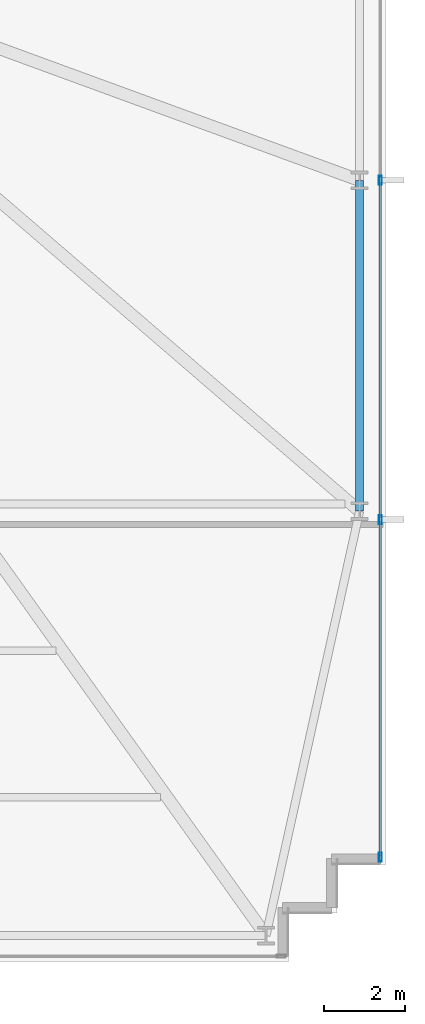
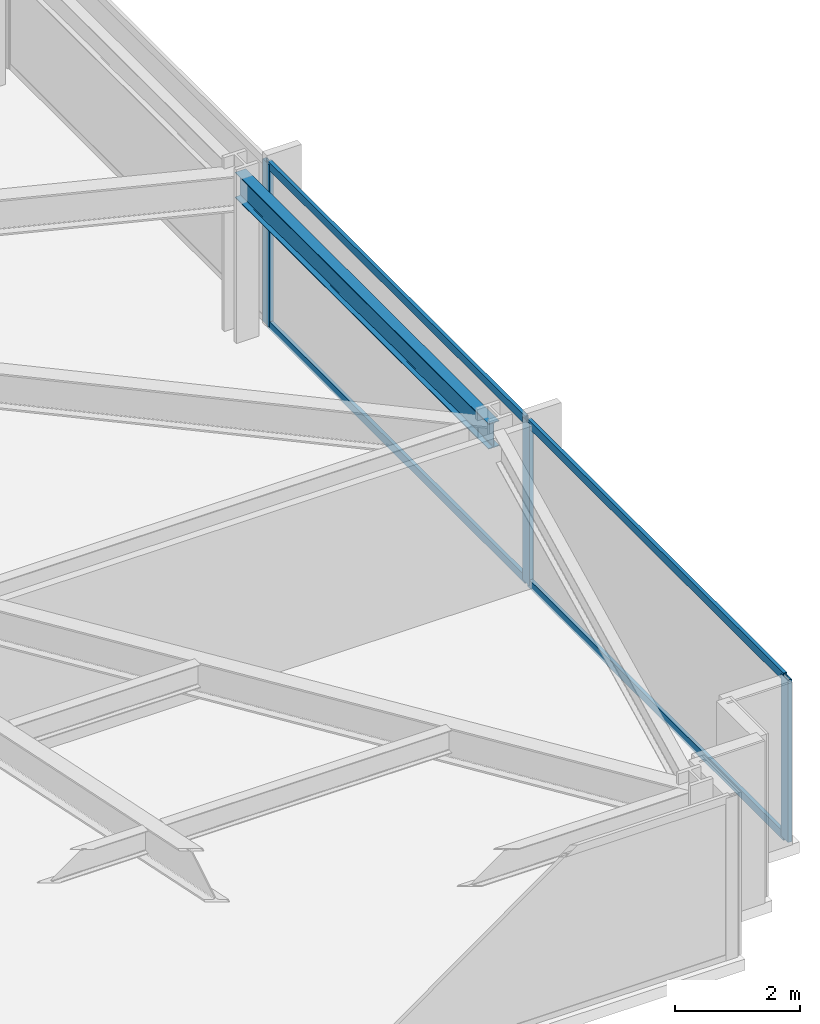
# One storey, part 22 of 33: 7 members, 1 beam, 1 element without a shape of its own.
"""IFC4 building model written with IfcOpenShell, lengths in metres."""

import ifcopenshell
import ifcopenshell.guid

model = None  # the IFC model being written
_history = None  # IfcOwnerHistory: only IFC2X3 demands one
_inside = {}  # id of a spatial element -> (the spatial element, [elements in it])
_under = {}  # id of a project, library or spatial element -> (it, [spatial elements below it])
_declared = {}  # id of a project -> (the project, [libraries it declares])
_typed = {}  # id of a type object -> (the type object, [elements of that type])
_made_of = {}  # id of a material, layer set ... -> (it, [elements and type objects made of it])


def new_model(schema):
    """Start an empty IFC model of exactly this schema.

    Asked for "IFC4X3", IfcOpenShell would pick the latest addendum, in which some entities
    have other attributes; the version numbers below select the first issue.
    IFC2X3 requires an IfcOwnerHistory on every rooted entity: one is made here for all.
    """
    global model, _history
    if schema == "IFC4X3":
        model = ifcopenshell.file(schema_version=(4, 3, 0, 0))
    else:
        model = ifcopenshell.file(schema=schema)
    _inside.clear()
    _under.clear()
    _declared.clear()
    _typed.clear()
    _made_of.clear()
    _history = None
    if model.schema == "IFC2X3":
        org = make("IfcOrganization", Name="unknown")
        user = make(
            "IfcPersonAndOrganization",
            ThePerson=make("IfcPerson", FamilyName="unknown"),
            TheOrganization=org,
        )
        app = make(
            "IfcApplication",
            ApplicationDeveloper=org,
            Version="unknown",
            ApplicationFullName="unknown",
            ApplicationIdentifier="unknown",
        )
        _history = make(
            "IfcOwnerHistory",
            OwningUser=user,
            OwningApplication=app,
            ChangeAction="ADDED",
            CreationDate=0,
        )
    return model


def make(cls, **values):
    """One entity of the class cls with the attributes given. An attribute that is None is left unset."""
    return model.create_entity(
        cls, **{name: value for name, value in values.items() if value is not None}
    )


def rooted(cls, **values):
    """An entity with a GlobalId (a new one), such as an element, a storey or a relation."""
    return make(cls, GlobalId=ifcopenshell.guid.new(), OwnerHistory=_history, **values)


def si_unit(unit_type, name, prefix=None):
    """IfcSIUnit, for example si_unit("LENGTHUNIT", "METRE", prefix="MILLI")."""
    return make("IfcSIUnit", UnitType=unit_type, Prefix=prefix, Name=name)


def assignment(units):
    """IfcUnitAssignment: the units of a project."""
    return None if units is None else make("IfcUnitAssignment", Units=units)


def point(xyz):
    """IfcCartesianPoint."""
    return None if xyz is None else make("IfcCartesianPoint", Coordinates=xyz)


def direction(xyz):
    """IfcDirection."""
    return None if xyz is None else make("IfcDirection", DirectionRatios=xyz)


def frame(location, z_axis=None, x_axis=None):
    """IfcAxis2Placement3D, a coordinate frame: its origin and axes. An axis left out is left unset."""
    return make(
        "IfcAxis2Placement3D",
        Location=point(location),
        Axis=direction(z_axis),
        RefDirection=direction(x_axis),
    )


def frame_2d(location, x_axis=None):
    """IfcAxis2Placement2D, a coordinate frame in the plane: its origin and x axis."""
    return make(
        "IfcAxis2Placement2D", Location=point(location), RefDirection=direction(x_axis)
    )


def origin():
    """The frame at (0, 0, 0) with its axes left unset."""
    return frame((0.0, 0.0, 0.0))


def origin_2d():
    """The frame at (0, 0) in the plane with its x axis left unset."""
    return frame_2d((0.0, 0.0))


def place(relative_to, where):
    """IfcLocalPlacement: puts the frame where relative to a parent placement (None: the world)."""
    return make(
        "IfcLocalPlacement", PlacementRelTo=relative_to, RelativePlacement=where
    )


def context(
    kind, dimensions, precision=None, world=None, true_north=None, identifier=None
):
    """IfcGeometricRepresentationContext, for example the 3D "Model" context."""
    return make(
        "IfcGeometricRepresentationContext",
        ContextIdentifier=identifier,
        ContextType=kind,
        CoordinateSpaceDimension=dimensions,
        Precision=precision,
        WorldCoordinateSystem=world,
        TrueNorth=true_north,
    )


def subcontext(parent, identifier, kind, view, scale=None):
    """IfcGeometricRepresentationSubContext, for example "Body" below "Model"."""
    return make(
        "IfcGeometricRepresentationSubContext",
        ContextIdentifier=identifier,
        ContextType=kind,
        ParentContext=parent,
        TargetScale=scale,
        TargetView=view,
    )


def project(units=None, contexts=None):
    """IfcProject with its units and contexts."""
    return rooted(
        "IfcProject",
        Name="project",
        RepresentationContexts=contexts,
        UnitsInContext=assignment(units),
    )


def spatial(cls, under=None, at=None, **own):
    """A site, building, storey or space (cls), placed at a placement, below another one or the project."""
    s = rooted(cls, ObjectPlacement=at, **own)
    if under is not None:
        _under.setdefault(under.id(), (under, []))[1].append(s)
    return s


def profile(cls, at=None, kind="AREA", **sizes):
    """A parametric profile (cls). Its sizes go by their IFC names, for example OverallWidth=200.0."""
    return make(cls, ProfileType=kind, Position=at, **sizes)


def hollow_rectangle(**sizes):
    """IfcRectangleHollowProfileDef."""
    return profile("IfcRectangleHollowProfileDef", **sizes)


def i_section(**sizes):
    """IfcIShapeProfileDef."""
    return profile("IfcIShapeProfileDef", **sizes)


def extrude(swept, where, along, depth):
    """IfcExtrudedAreaSolid: the profile swept, set in the frame where, extruded along a direction by depth."""
    return make(
        "IfcExtrudedAreaSolid",
        SweptArea=swept,
        Position=where,
        ExtrudedDirection=direction(along),
        Depth=depth,
    )


def shape(context_of_items, identifier, shape_type, items):
    """IfcShapeRepresentation: the items that make up one representation, for example the "Body"."""
    return make(
        "IfcShapeRepresentation",
        ContextOfItems=context_of_items,
        RepresentationIdentifier=identifier,
        RepresentationType=shape_type,
        Items=items,
    )


def material(Name=None, Category=None):
    """IfcMaterial."""
    return make("IfcMaterial", Name=Name, Category=Category)


def material_profile(
    of_material, cross_section, Name=None, Category=None, Priority=None
):
    """IfcMaterialProfile: a cross section and its material."""
    return make(
        "IfcMaterialProfile",
        Name=Name,
        Material=of_material,
        Profile=cross_section,
        Priority=Priority,
        Category=Category,
    )


def profile_set(profiles, Name=None, composite=None):
    """IfcMaterialProfileSet."""
    return make(
        "IfcMaterialProfileSet",
        Name=Name,
        MaterialProfiles=profiles,
        CompositeProfile=composite,
    )


def made_of(thing, what):
    """Note that an element or type object is made of a material, layer set ...; save() writes the relation."""
    if what is not None:
        _made_of.setdefault(what.id(), (what, []))[1].append(thing)
    return thing


def type_object(cls, material=None, **own):
    """A type object (cls), such as IfcWallType, which elements share."""
    return made_of(rooted(cls, **own), material)


def element(
    cls,
    number,
    at=None,
    inside=None,
    cuts=None,
    type_object=None,
    material=None,
    context=None,
    identifier="Body",
    shape_type=None,
    held_by="IfcProductDefinitionShape",
    body=None,
    shapes=None,
    **own,
):
    """One element of the class cls, such as IfcWall. Its Tag is "e" and its number.

    at: its placement. inside: the storey or other place that contains it. cuts: it is an
    opening in that element (IfcRelVoidsElement). A single representation is given by context,
    identifier, shape_type and body (its items); several are given by shapes. held_by: the class
    of the entity that holds the representations. save() writes the other relations.
    """
    e = rooted(cls, Tag="e%d" % number, ObjectPlacement=at, **own)
    if body is not None:
        shapes = [shape(context, identifier, shape_type, body)]
    if shapes is not None:
        e.Representation = make(held_by, Representations=shapes)
    if inside is not None:
        _inside.setdefault(inside.id(), (inside, []))[1].append(e)
    if cuts is not None:
        rooted(
            "IfcRelVoidsElement", RelatingBuildingElement=cuts, RelatedOpeningElement=e
        )
    if type_object is not None:
        _typed.setdefault(type_object.id(), (type_object, []))[1].append(e)
    return made_of(e, material)


def aggregate(whole, parts):
    """IfcRelAggregates: a whole, such as a stair, and the parts it consists of."""
    return rooted("IfcRelAggregates", RelatingObject=whole, RelatedObjects=parts)


def save(model, path):
    """Write the relations noted so far, then the file.

    IfcRelAggregates (storeys below a building ...), IfcRelContainedInSpatialStructure (elements
    in a storey), IfcRelDefinesByType, IfcRelAssociatesMaterial and IfcRelDeclares: one each for
    every whole, place, type object, material and project.
    """
    for whole, parts in _under.values():
        aggregate(whole, parts)
    for where, things in _inside.values():
        rooted(
            "IfcRelContainedInSpatialStructure",
            RelatedElements=things,
            RelatingStructure=where,
        )
    for kind, things in _typed.values():
        rooted("IfcRelDefinesByType", RelatedObjects=things, RelatingType=kind)
    for what, things in _made_of.values():
        rooted("IfcRelAssociatesMaterial", RelatedObjects=things, RelatingMaterial=what)
    for by, libraries in _declared.values():
        rooted("IfcRelDeclares", RelatingContext=by, RelatedDefinitions=libraries)
    model.write(path)


model = new_model("IFC4")

# Units and contexts
model_context = context("Model", 3, precision=1e-05, world=origin(), true_north=direction((0.0, 1.0)))
body_context = subcontext(model_context, "Body", "Model", "MODEL_VIEW")
ifc_project = project(units=[si_unit("LENGTHUNIT", "METRE"), si_unit("AREAUNIT", "SQUARE_METRE"), si_unit("VOLUMEUNIT", "CUBIC_METRE"), si_unit("PLANEANGLEUNIT", "RADIAN"), si_unit("MASSUNIT", "GRAM", prefix="KILO")], contexts=[model_context])

# Site, building, storey
site_placement = place(None, origin())
site = spatial("IfcSite", under=ifc_project, at=site_placement, CompositionType="ELEMENT")
building_placement = place(site_placement, origin())
building = spatial("IfcBuilding", under=site, at=building_placement, Name="Yelkora Congress Tower", CompositionType="ELEMENT")
storey_placement = place(building_placement, frame((0.0, 0.0, 37.199951171875)))
storey = spatial("IfcBuildingStorey", under=building, at=storey_placement, Name="L08", CompositionType="ELEMENT", Elevation=37.199951171875)

# Beam
ifc_material_1 = material(Name="Steel S355J2", Category="steel")
ifc_material_profile_1 = material_profile(ifc_material_1, i_section(OverallWidth=0.199951171875, OverallDepth=0.5, WebThickness=0.01025390625, FlangeThickness=0.01611328125, FilletRadius=0.02099609375, at=origin_2d()), Name="IPE 500")
ifc_profile_set_1 = profile_set([ifc_material_profile_1], Name="Steel S355J2")
beam_type = type_object("IfcBeamType", Name="BM-SPAN-IPE500", PredefinedType="SPANDREL", material=ifc_profile_set_1)
beam_placement = place(storey_placement, frame((70.14990234375, 21.27490234375, 2.929931640625), z_axis=(0.0, 1.0, 0.0), x_axis=(-1.0, 0.0, 0.0)))
element("IfcBeam", 1, at=beam_placement, inside=storey, type_object=beam_type, Name="L08 Perimeter Beam 11", PredefinedType="SPANDREL", context=body_context, shape_type="SweptSolid", body=[
    extrude(i_section(OverallWidth=0.199951171875, OverallDepth=0.5, WebThickness=0.01025390625, FlangeThickness=0.01611328125, FilletRadius=0.02099609375, at=origin_2d()), origin(), (0.0, 0.0, 1.0), 8.125),
])

# Curtain wall, members
ifc_material_2 = material(Name="Anodised aluminium and insulated glass", Category="aluminium")
curtain_wall_type = type_object("IfcCurtainWallType", Name="CW-SYS-B1", PredefinedType="NOTDEFINED", material=ifc_material_2)
curtain_wall_placement = place(storey_placement, origin())
curtain_wall = element("IfcCurtainWall", 2, at=curtain_wall_placement, inside=storey, type_object=curtain_wall_type, Name="L08 Unitised Curtain Wall 15", PredefinedType="NOTDEFINED")
ifc_material_3 = material(Name="Anodised aluminium 6063-T6", Category="aluminium")
ifc_material_profile_2 = material_profile(ifc_material_3, hollow_rectangle(XDim=0.074951171875, YDim=0.219970703125, WallThickness=0.0048828125, at=origin_2d()), Name="ALU 75x220x5")
ifc_profile_set_2 = profile_set([ifc_material_profile_2], Name="Anodised aluminium 6063-T6")
member_type_1 = type_object("IfcMemberType", Name="MEM-ML-B1", PredefinedType="MULLION", material=ifc_profile_set_2)
member_1_placement = place(storey_placement, frame((70.659912109375, 29.39990234375, 0.0), z_axis=(0.0, 0.0, 1.0), x_axis=(1.0, 0.0, 0.0)))
member_1 = element("IfcMember", 3, at=member_1_placement, type_object=member_type_1, Name="CW-B1 mullion 3", PredefinedType="MULLION", context=body_context, shape_type="SweptSolid", body=[
    extrude(hollow_rectangle(XDim=0.074951171875, YDim=0.219970703125, WallThickness=0.0048828125, at=origin_2d()), origin(), (0.0, 0.0, 1.0), 3.179931640625),
])
member_2_placement = place(storey_placement, frame((70.659912109375, 21.070068359375, 0.0), z_axis=(0.0, 0.0, 1.0), x_axis=(1.0, 0.0, 0.0)))
member_2 = element("IfcMember", 4, at=member_2_placement, type_object=member_type_1, Name="CW-B1 mullion 4", PredefinedType="MULLION", context=body_context, shape_type="SweptSolid", body=[
    extrude(hollow_rectangle(XDim=0.074951171875, YDim=0.219970703125, WallThickness=0.0048828125, at=origin_2d()), origin(), (0.0, 0.0, 1.0), 3.179931640625),
])
member_3_placement = place(storey_placement, frame((70.659912109375, 12.777587890625, 0.0), z_axis=(0.0, 0.0, 1.0), x_axis=(1.0, 0.0, 0.0)))
member_3 = element("IfcMember", 5, at=member_3_placement, type_object=member_type_1, Name="CW-B1 mullion 5", PredefinedType="MULLION", context=body_context, shape_type="SweptSolid", body=[
    extrude(hollow_rectangle(XDim=0.074951171875, YDim=0.219970703125, WallThickness=0.0048828125, at=origin_2d()), origin(), (0.0, 0.0, 1.0), 3.179931640625),
])
ifc_material_profile_3 = material_profile(ifc_material_3, hollow_rectangle(XDim=0.06494140625, YDim=0.159912109375, WallThickness=0.00390625, at=origin_2d()), Name="ALU 65x160x4")
ifc_profile_set_3 = profile_set([ifc_material_profile_3], Name="Anodised aluminium 6063-T6")
member_type_2 = type_object("IfcMemberType", Name="MEM-TR-B1", PredefinedType="USERDEFINED", material=ifc_profile_set_3)
member_4_placement = place(storey_placement, frame((70.659912109375, 29.362548828125, 0.032470703125), z_axis=(0.0, -1.0, 0.0), x_axis=(1.0, 0.0, 0.0)))
member_4 = element("IfcMember", 6, at=member_4_placement, type_object=member_type_2, Name="CW-B1 transom 3.1", ObjectType="TRANSOM", PredefinedType="USERDEFINED", context=body_context, shape_type="SweptSolid", body=[
    extrude(hollow_rectangle(XDim=0.06494140625, YDim=0.159912109375, WallThickness=0.00390625, at=origin_2d()), origin(), (0.0, 0.0, 1.0), 8.255126953125),
])
member_5_placement = place(storey_placement, frame((70.659912109375, 29.362548828125, 3.1474609375), z_axis=(0.0, -1.0, 0.0), x_axis=(1.0, 0.0, 0.0)))
member_5 = element("IfcMember", 7, at=member_5_placement, type_object=member_type_2, Name="CW-B1 transom 3.2", ObjectType="TRANSOM", PredefinedType="USERDEFINED", context=body_context, shape_type="SweptSolid", body=[
    extrude(hollow_rectangle(XDim=0.06494140625, YDim=0.159912109375, WallThickness=0.00390625, at=origin_2d()), origin(), (0.0, 0.0, 1.0), 8.255126953125),
])
member_6_placement = place(storey_placement, frame((70.659912109375, 21.032470703125, 0.032470703125), z_axis=(0.0, -1.0, 0.0), x_axis=(1.0, 0.0, 0.0)))
member_6 = element("IfcMember", 8, at=member_6_placement, type_object=member_type_2, Name="CW-B1 transom 4.1", ObjectType="TRANSOM", PredefinedType="USERDEFINED", context=body_context, shape_type="SweptSolid", body=[
    extrude(hollow_rectangle(XDim=0.06494140625, YDim=0.159912109375, WallThickness=0.00390625, at=origin_2d()), origin(), (0.0, 0.0, 1.0), 8.217529296875),
])
member_7_placement = place(storey_placement, frame((70.659912109375, 21.032470703125, 3.1474609375), z_axis=(0.0, -1.0, 0.0), x_axis=(1.0, 0.0, 0.0)))
member_7 = element("IfcMember", 9, at=member_7_placement, type_object=member_type_2, Name="CW-B1 transom 4.2", ObjectType="TRANSOM", PredefinedType="USERDEFINED", context=body_context, shape_type="SweptSolid", body=[
    extrude(hollow_rectangle(XDim=0.06494140625, YDim=0.159912109375, WallThickness=0.00390625, at=origin_2d()), origin(), (0.0, 0.0, 1.0), 8.217529296875),
])
aggregate(curtain_wall, [member_1, member_2, member_3, member_4, member_5, member_6, member_7])

save(model, "model.ifc")
